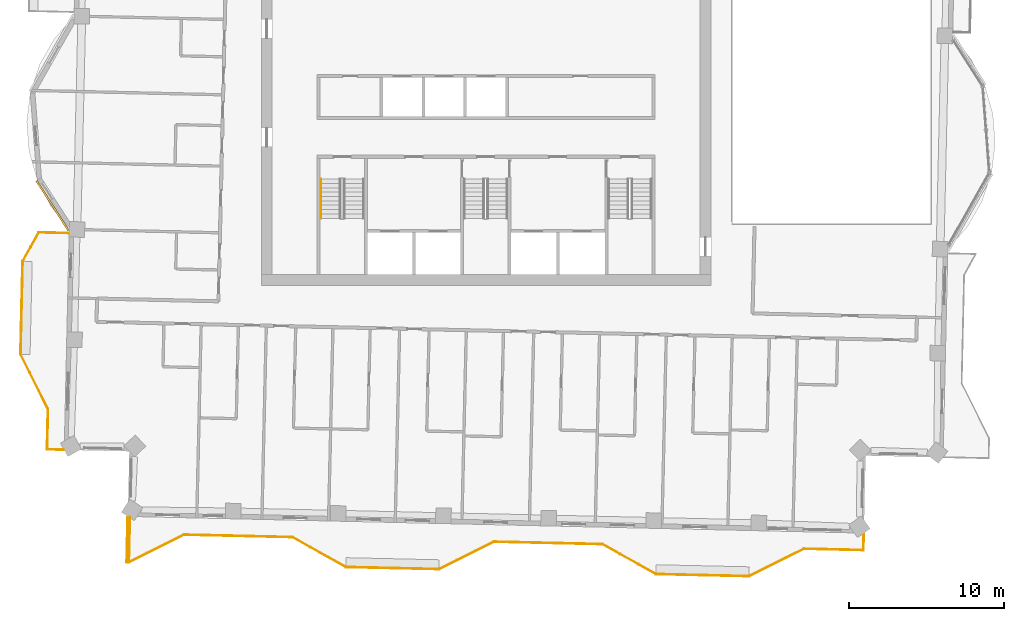
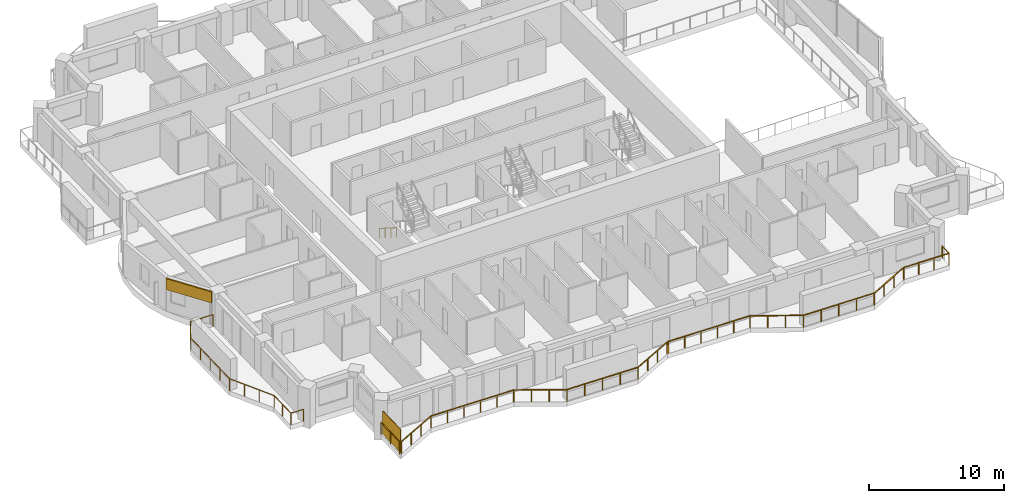
# One storey, part 14 of 17: 3 railings, 1 covering, 1 shading device.
"""IFC4 building model written with IfcOpenShell, lengths in metres."""

from ifc_helpers import new_model, si_unit, direction, frame, frame_2d, origin, origin_2d, place, context, subcontext, project, spatial, rectangle, circle, extrude, material, layer, layer_set, type_object, element, save


model = new_model("IFC4")

# Units and contexts
model_context = context("Model", 3, precision=1e-05, world=origin(), true_north=direction((0.0, 1.0)))
body_context = subcontext(model_context, "Body", "Model", "MODEL_VIEW")
ifc_project = project(units=[si_unit("LENGTHUNIT", "METRE"), si_unit("AREAUNIT", "SQUARE_METRE"), si_unit("VOLUMEUNIT", "CUBIC_METRE"), si_unit("PLANEANGLEUNIT", "RADIAN"), si_unit("MASSUNIT", "GRAM", prefix="KILO")], contexts=[model_context])

# Site, building, storey
site_placement = place(None, origin())
site = spatial("IfcSite", under=ifc_project, at=site_placement, CompositionType="ELEMENT")
building_placement = place(site_placement, origin())
building = spatial("IfcBuilding", under=site, at=building_placement, Name="Mangrove Gate Tower", CompositionType="ELEMENT")
storey_placement = place(building_placement, frame((0.0, 0.0, 264.5)))
storey = spatial("IfcBuildingStorey", under=building, at=storey_placement, Name="L67", CompositionType="ELEMENT", Elevation=264.5)

# Railings
ifc_material_1 = material(Name="Stainless steel grade 316 with laminated glass infill", Category="steel")
railing_type_1 = type_object("IfcRailingType", Name="Balcony guard 1100", PredefinedType="GUARDRAIL", material=ifc_material_1)
railing_1_placement = place(storey_placement, frame((-26.929931640625, -8.1298828125, 0.0)))
element("IfcRailing", 1, at=railing_1_placement, inside=storey, type_object=railing_type_1, Name="GUARD L67 W2", PredefinedType="GUARDRAIL", context=body_context, shape_type="SweptSolid", body=[
    extrude(rectangle(XDim=0.048095703125, YDim=0.048095703125, at=origin_2d()), frame((0.0, 0.0, 1.076171875), z_axis=(-0.999737947273, 0.022891849702, 0.0), x_axis=(-0.022891849702, -0.999737947273, 0.0)), (0.0, 0.0, 1.0), 1.919677734375),
    extrude(rectangle(XDim=0.048095703125, YDim=0.048095703125, at=origin_2d()), frame((-1.919189453125, 0.0439453125, 1.076171875), z_axis=(-0.487098711433, -0.873346921515, 0.0), x_axis=(0.873346921515, -0.487098711433, 0.0)), (0.0, 0.0, 1.0), 2.12060546875),
    extrude(rectangle(XDim=0.048095703125, YDim=0.048095703125, at=origin_2d()), frame((-2.9521484375, -1.80810546875, 1.076171875), z_axis=(-0.022665943652, -0.999743094499, 0.0), x_axis=(0.999743094499, -0.022665943652, 0.0)), (0.0, 0.0, 1.0), 5.99951171875),
    extrude(rectangle(XDim=0.048095703125, YDim=0.048095703125, at=origin_2d()), frame((-3.088134765625, -7.80615234375, 1.076171875), z_axis=(0.447016280881, -0.894525821107, 0.0), x_axis=(0.894525821107, 0.447016280881, 0.0)), (0.0, 0.0, 1.0), 3.959716796875),
    extrude(rectangle(XDim=0.048095703125, YDim=0.048095703125, at=origin_2d()), frame((-1.318115234375, -11.34814453125, 1.076171875), z_axis=(-0.02263393711, -0.999743819631, 0.0), x_axis=(0.999743819631, -0.02263393711, 0.0)), (0.0, 0.0, 1.0), 2.599609375),
    extrude(rectangle(XDim=0.048095703125, YDim=0.048095703125, at=origin_2d()), frame((-1.376953125, -13.947021484375, 1.076171875), z_axis=(0.999740049023, -0.022799876723, 0.0), x_axis=(0.022799876723, 0.999740049023, 0.0)), (0.0, 0.0, 1.0), 1.06005859375),
    extrude(rectangle(XDim=0.0419921875, YDim=0.0419921875, at=origin_2d()), origin(), (0.0, 0.0, 1.0), 1.052001953125),
    extrude(rectangle(XDim=0.0419921875, YDim=0.0419921875, at=origin_2d()), frame((-0.95947265625, 0.02197265625, 0.0)), (0.0, 0.0, 1.0), 1.052001953125),
    extrude(rectangle(XDim=0.0419921875, YDim=0.0419921875, at=origin_2d()), frame((-1.919189453125, 0.0439453125, 0.0)), (0.0, 0.0, 1.0), 1.052001953125),
    extrude(rectangle(XDim=0.0419921875, YDim=0.0419921875, at=origin_2d()), frame((-2.435546875, -0.882080078125, 0.0)), (0.0, 0.0, 1.0), 1.052001953125),
    extrude(rectangle(XDim=0.0419921875, YDim=0.0419921875, at=origin_2d()), frame((-2.9521484375, -1.80810546875, 0.0)), (0.0, 0.0, 1.0), 1.052001953125),
    extrude(rectangle(XDim=0.0419921875, YDim=0.0419921875, at=origin_2d()), frame((-2.986083984375, -3.3076171875, 0.0)), (0.0, 0.0, 1.0), 1.052001953125),
    extrude(rectangle(XDim=0.0419921875, YDim=0.0419921875, at=origin_2d()), frame((-3.02001953125, -4.80712890625, 0.0)), (0.0, 0.0, 1.0), 1.052001953125),
    extrude(rectangle(XDim=0.0419921875, YDim=0.0419921875, at=origin_2d()), frame((-3.05419921875, -6.306640625, 0.0)), (0.0, 0.0, 1.0), 1.052001953125),
    extrude(rectangle(XDim=0.0419921875, YDim=0.0419921875, at=origin_2d()), frame((-3.088134765625, -7.80615234375, 0.0)), (0.0, 0.0, 1.0), 1.052001953125),
    extrude(rectangle(XDim=0.0419921875, YDim=0.0419921875, at=origin_2d()), frame((-2.498046875, -8.98681640625, 0.0)), (0.0, 0.0, 1.0), 1.052001953125),
    extrude(rectangle(XDim=0.0419921875, YDim=0.0419921875, at=origin_2d()), frame((-1.908203125, -10.16748046875, 0.0)), (0.0, 0.0, 1.0), 1.052001953125),
    extrude(rectangle(XDim=0.0419921875, YDim=0.0419921875, at=origin_2d()), frame((-1.318115234375, -11.34814453125, 0.0)), (0.0, 0.0, 1.0), 1.052001953125),
    extrude(rectangle(XDim=0.0419921875, YDim=0.0419921875, at=origin_2d()), frame((-1.34765625, -12.6474609375, 0.0)), (0.0, 0.0, 1.0), 1.052001953125),
    extrude(rectangle(XDim=0.0419921875, YDim=0.0419921875, at=origin_2d()), frame((-1.376953125, -13.947021484375, 0.0)), (0.0, 0.0, 1.0), 1.052001953125),
    extrude(rectangle(XDim=0.0419921875, YDim=0.0419921875, at=origin_2d()), frame((-0.317138671875, -13.97119140625, 0.0)), (0.0, 0.0, 1.0), 1.052001953125),
])
railing_2_placement = place(storey_placement, frame((-23.10498046875, -26.43603515625, 0.0)))
element("IfcRailing", 2, at=railing_2_placement, inside=storey, type_object=railing_type_1, Name="GUARD L67 S1", PredefinedType="GUARDRAIL", context=body_context, shape_type="SweptSolid", body=[
    extrude(rectangle(XDim=0.048095703125, YDim=0.048095703125, at=origin_2d()), frame((0.0, 0.0, 1.076171875), z_axis=(-0.022654696127, -0.999743349437, 0.0), x_axis=(0.999743349437, -0.022654696127, 0.0)), (0.0, 0.0, 1.0), 2.90966796875),
    extrude(rectangle(XDim=0.048095703125, YDim=0.048095703125, at=origin_2d()), frame((-0.06591796875, -2.908935546875, 1.076171875), z_axis=(0.999768009096, -0.021538987629, 0.0), x_axis=(0.021538987629, 0.999768009096, 0.0)), (0.0, 0.0, 1.0), 0.135986328125),
    extrude(rectangle(XDim=0.048095703125, YDim=0.048095703125, at=origin_2d()), frame((0.070068359375, -2.911865234375, 1.076171875), z_axis=(0.894476522376, 0.447114919141, 0.0), x_axis=(-0.447114919141, 0.894476522376, 0.0)), (0.0, 0.0, 1.0), 3.958740234375),
    extrude(rectangle(XDim=0.048095703125, YDim=0.048095703125, at=origin_2d()), frame((3.611083984375, -1.141845703125, 1.076171875), z_axis=(0.999741457317, -0.022738041308, 0.0), x_axis=(0.022738041308, 0.999741457317, 0.0)), (0.0, 0.0, 1.0), 7.00048828125),
    extrude(rectangle(XDim=0.048095703125, YDim=0.048095703125, at=origin_2d()), frame((10.60986328125, -1.301025390625, 1.076171875), z_axis=(0.87325689943, -0.48726008209, 0.0), x_axis=(0.48726008209, 0.87325689943, 0.0)), (0.0, 0.0, 1.0), 3.958740234375),
    extrude(rectangle(XDim=0.048095703125, YDim=0.048095703125, at=origin_2d()), frame((14.06689453125, -3.22998046875, 1.076171875), z_axis=(0.999743094499, -0.022665943652, 0.0), x_axis=(0.022665943652, 0.999743094499, 0.0)), (0.0, 0.0, 1.0), 5.99951171875),
    extrude(rectangle(XDim=0.048095703125, YDim=0.048095703125, at=origin_2d()), frame((20.06494140625, -3.365966796875, 1.076171875), z_axis=(0.894476522376, 0.447114919141, 0.0), x_axis=(-0.447114919141, 0.894476522376, 0.0)), (0.0, 0.0, 1.0), 3.958740234375),
    extrude(rectangle(XDim=0.048095703125, YDim=0.048095703125, at=origin_2d()), frame((23.60595703125, -1.595947265625, 1.076171875), z_axis=(0.999809691461, -0.019508481785, 0.0), x_axis=(0.019508481785, 0.999809691461, 0.0)), (0.0, 0.0, 1.0), 0.10009765625),
    extrude(rectangle(XDim=0.048095703125, YDim=0.048095703125, at=origin_2d()), frame((23.7060546875, -1.597900390625, 1.076171875), z_axis=(0.999741140915, -0.022751948524, 0.0), x_axis=(0.022751948524, 0.999741140915, 0.0)), (0.0, 0.0, 1.0), 6.899658203125),
    extrude(rectangle(XDim=0.048095703125, YDim=0.048095703125, at=origin_2d()), frame((30.60400390625, -1.7548828125, 1.076171875), z_axis=(0.873289216505, -0.487202159618, 0.0), x_axis=(0.487202159618, 0.873289216505, 0.0)), (0.0, 0.0, 1.0), 3.959716796875),
    extrude(rectangle(XDim=0.048095703125, YDim=0.048095703125, at=origin_2d()), frame((34.06201171875, -3.68408203125, 1.076171875), z_axis=(0.999743094499, -0.022665943652, 0.0), x_axis=(0.022665943652, 0.999743094499, 0.0)), (0.0, 0.0, 1.0), 5.99951171875),
    extrude(rectangle(XDim=0.048095703125, YDim=0.048095703125, at=origin_2d()), frame((40.06005859375, -3.820068359375, 1.076171875), z_axis=(0.894476522376, 0.447114919141, 0.0), x_axis=(-0.447114919141, 0.894476522376, 0.0)), (0.0, 0.0, 1.0), 3.958740234375),
    extrude(rectangle(XDim=0.048095703125, YDim=0.048095703125, at=origin_2d()), frame((43.60107421875, -2.050048828125, 1.076171875), z_axis=(0.999743279263, -0.02265779268, 0.0), x_axis=(0.02265779268, 0.999743279263, 0.0)), (0.0, 0.0, 1.0), 3.8359375),
    extrude(rectangle(XDim=0.048095703125, YDim=0.048095703125, at=origin_2d()), frame((47.43603515625, -2.136962890625, 1.076171875), z_axis=(0.022564497502, 0.999745389313, 0.0), x_axis=(-0.999745389313, 0.022564497502, 0.0)), (0.0, 0.0, 1.0), 1.060302734375),
    extrude(rectangle(XDim=0.0419921875, YDim=0.0419921875, at=origin_2d()), origin(), (0.0, 0.0, 1.0), 1.052001953125),
    extrude(rectangle(XDim=0.0419921875, YDim=0.0419921875, at=origin_2d()), frame((-0.032958984375, -1.45458984375, 0.0)), (0.0, 0.0, 1.0), 1.052001953125),
    extrude(rectangle(XDim=0.0419921875, YDim=0.0419921875, at=origin_2d()), frame((-0.06591796875, -2.908935546875, 0.0)), (0.0, 0.0, 1.0), 1.052001953125),
    extrude(rectangle(XDim=0.0419921875, YDim=0.0419921875, at=origin_2d()), frame((0.070068359375, -2.911865234375, 0.0)), (0.0, 0.0, 1.0), 1.052001953125),
    extrude(rectangle(XDim=0.0419921875, YDim=0.0419921875, at=origin_2d()), frame((1.25048828125, -2.32177734375, 0.0)), (0.0, 0.0, 1.0), 1.052001953125),
    extrude(rectangle(XDim=0.0419921875, YDim=0.0419921875, at=origin_2d()), frame((2.4306640625, -1.73193359375, 0.0)), (0.0, 0.0, 1.0), 1.052001953125),
    extrude(rectangle(XDim=0.0419921875, YDim=0.0419921875, at=origin_2d()), frame((3.611083984375, -1.141845703125, 0.0)), (0.0, 0.0, 1.0), 1.052001953125),
    extrude(rectangle(XDim=0.0419921875, YDim=0.0419921875, at=origin_2d()), frame((5.0107421875, -1.173583984375, 0.0)), (0.0, 0.0, 1.0), 1.052001953125),
    extrude(rectangle(XDim=0.0419921875, YDim=0.0419921875, at=origin_2d()), frame((6.41064453125, -1.20556640625, 0.0)), (0.0, 0.0, 1.0), 1.052001953125),
    extrude(rectangle(XDim=0.0419921875, YDim=0.0419921875, at=origin_2d()), frame((7.810302734375, -1.2373046875, 0.0)), (0.0, 0.0, 1.0), 1.052001953125),
    extrude(rectangle(XDim=0.0419921875, YDim=0.0419921875, at=origin_2d()), frame((9.210205078125, -1.269287109375, 0.0)), (0.0, 0.0, 1.0), 1.052001953125),
    extrude(rectangle(XDim=0.0419921875, YDim=0.0419921875, at=origin_2d()), frame((10.60986328125, -1.301025390625, 0.0)), (0.0, 0.0, 1.0), 1.052001953125),
    extrude(rectangle(XDim=0.0419921875, YDim=0.0419921875, at=origin_2d()), frame((11.76220703125, -1.944091796875, 0.0)), (0.0, 0.0, 1.0), 1.052001953125),
    extrude(rectangle(XDim=0.0419921875, YDim=0.0419921875, at=origin_2d()), frame((12.91455078125, -2.5869140625, 0.0)), (0.0, 0.0, 1.0), 1.052001953125),
    extrude(rectangle(XDim=0.0419921875, YDim=0.0419921875, at=origin_2d()), frame((14.06689453125, -3.22998046875, 0.0)), (0.0, 0.0, 1.0), 1.052001953125),
    extrude(rectangle(XDim=0.0419921875, YDim=0.0419921875, at=origin_2d()), frame((15.56640625, -3.263916015625, 0.0)), (0.0, 0.0, 1.0), 1.052001953125),
    extrude(rectangle(XDim=0.0419921875, YDim=0.0419921875, at=origin_2d()), frame((17.06591796875, -3.2978515625, 0.0)), (0.0, 0.0, 1.0), 1.052001953125),
    extrude(rectangle(XDim=0.0419921875, YDim=0.0419921875, at=origin_2d()), frame((18.5654296875, -3.33203125, 0.0)), (0.0, 0.0, 1.0), 1.052001953125),
    extrude(rectangle(XDim=0.0419921875, YDim=0.0419921875, at=origin_2d()), frame((20.06494140625, -3.365966796875, 0.0)), (0.0, 0.0, 1.0), 1.052001953125),
    extrude(rectangle(XDim=0.0419921875, YDim=0.0419921875, at=origin_2d()), frame((21.245361328125, -2.77587890625, 0.0)), (0.0, 0.0, 1.0), 1.052001953125),
    extrude(rectangle(XDim=0.0419921875, YDim=0.0419921875, at=origin_2d()), frame((22.425537109375, -2.18603515625, 0.0)), (0.0, 0.0, 1.0), 1.052001953125),
    extrude(rectangle(XDim=0.0419921875, YDim=0.0419921875, at=origin_2d()), frame((23.60595703125, -1.595947265625, 0.0)), (0.0, 0.0, 1.0), 1.052001953125),
    extrude(rectangle(XDim=0.0419921875, YDim=0.0419921875, at=origin_2d()), frame((23.7060546875, -1.597900390625, 0.0)), (0.0, 0.0, 1.0), 1.052001953125),
    extrude(rectangle(XDim=0.0419921875, YDim=0.0419921875, at=origin_2d()), frame((25.085693359375, -1.62939453125, 0.0)), (0.0, 0.0, 1.0), 1.052001953125),
    extrude(rectangle(XDim=0.0419921875, YDim=0.0419921875, at=origin_2d()), frame((26.46533203125, -1.66064453125, 0.0)), (0.0, 0.0, 1.0), 1.052001953125),
    extrude(rectangle(XDim=0.0419921875, YDim=0.0419921875, at=origin_2d()), frame((27.8447265625, -1.692138671875, 0.0)), (0.0, 0.0, 1.0), 1.052001953125),
    extrude(rectangle(XDim=0.0419921875, YDim=0.0419921875, at=origin_2d()), frame((29.224365234375, -1.723388671875, 0.0)), (0.0, 0.0, 1.0), 1.052001953125),
    extrude(rectangle(XDim=0.0419921875, YDim=0.0419921875, at=origin_2d()), frame((30.60400390625, -1.7548828125, 0.0)), (0.0, 0.0, 1.0), 1.052001953125),
    extrude(rectangle(XDim=0.0419921875, YDim=0.0419921875, at=origin_2d()), frame((31.756591796875, -2.39794921875, 0.0)), (0.0, 0.0, 1.0), 1.052001953125),
    extrude(rectangle(XDim=0.0419921875, YDim=0.0419921875, at=origin_2d()), frame((32.909423828125, -3.041015625, 0.0)), (0.0, 0.0, 1.0), 1.052001953125),
    extrude(rectangle(XDim=0.0419921875, YDim=0.0419921875, at=origin_2d()), frame((34.06201171875, -3.68408203125, 0.0)), (0.0, 0.0, 1.0), 1.052001953125),
    extrude(rectangle(XDim=0.0419921875, YDim=0.0419921875, at=origin_2d()), frame((35.5615234375, -3.718017578125, 0.0)), (0.0, 0.0, 1.0), 1.052001953125),
    extrude(rectangle(XDim=0.0419921875, YDim=0.0419921875, at=origin_2d()), frame((37.06103515625, -3.751953125, 0.0)), (0.0, 0.0, 1.0), 1.052001953125),
    extrude(rectangle(XDim=0.0419921875, YDim=0.0419921875, at=origin_2d()), frame((38.560546875, -3.7861328125, 0.0)), (0.0, 0.0, 1.0), 1.052001953125),
    extrude(rectangle(XDim=0.0419921875, YDim=0.0419921875, at=origin_2d()), frame((40.06005859375, -3.820068359375, 0.0)), (0.0, 0.0, 1.0), 1.052001953125),
    extrude(rectangle(XDim=0.0419921875, YDim=0.0419921875, at=origin_2d()), frame((41.240478515625, -3.22998046875, 0.0)), (0.0, 0.0, 1.0), 1.052001953125),
    extrude(rectangle(XDim=0.0419921875, YDim=0.0419921875, at=origin_2d()), frame((42.420654296875, -2.64013671875, 0.0)), (0.0, 0.0, 1.0), 1.052001953125),
    extrude(rectangle(XDim=0.0419921875, YDim=0.0419921875, at=origin_2d()), frame((43.60107421875, -2.050048828125, 0.0)), (0.0, 0.0, 1.0), 1.052001953125),
    extrude(rectangle(XDim=0.0419921875, YDim=0.0419921875, at=origin_2d()), frame((44.87939453125, -2.0791015625, 0.0)), (0.0, 0.0, 1.0), 1.052001953125),
    extrude(rectangle(XDim=0.0419921875, YDim=0.0419921875, at=origin_2d()), frame((46.15771484375, -2.10791015625, 0.0)), (0.0, 0.0, 1.0), 1.052001953125),
    extrude(rectangle(XDim=0.0419921875, YDim=0.0419921875, at=origin_2d()), frame((47.43603515625, -2.136962890625, 0.0)), (0.0, 0.0, 1.0), 1.052001953125),
    extrude(rectangle(XDim=0.0419921875, YDim=0.0419921875, at=origin_2d()), frame((47.4599609375, -1.076904296875, 0.0)), (0.0, 0.0, 1.0), 1.052001953125),
])

# Shading device
ifc_material_2 = material(Name="Timber slat screen in teak", Category="wood")
shading_device_type = type_object("IfcShadingDeviceType", Name="Balcony screen 2100", PredefinedType="USERDEFINED", material=ifc_material_2)
shading_device_placement = place(storey_placement, frame((-22.99609375, -27.81396484375, 0.0), z_axis=(0.0, 0.0, 1.0), x_axis=(-0.022739679942, -0.999741420046, 0.0)))
element("IfcShadingDevice", 3, at=shading_device_placement, inside=storey, type_object=shading_device_type, Name="SCREEN L67 S0", ObjectType="SCREEN", PredefinedType="USERDEFINED", context=body_context, shape_type="SweptSolid", body=[
    extrude(rectangle(XDim=2.7900390625, YDim=0.050048828125, at=origin_2d()), origin(), (0.0, 0.0, 1.0), 2.10009765625),
])

# Railing
ifc_material_3 = material(Name="Stainless steel 316", Category="steel")
railing_type_2 = type_object("IfcRailingType", Name="Core stair handrail 900", PredefinedType="HANDRAIL", material=ifc_material_3)
railing_3_placement = place(storey_placement, frame((-10.64990234375, -4.64990234375, 0.179931640625)))
element("IfcRailing", 4, at=railing_3_placement, inside=storey, type_object=railing_type_2, Name="L67 ST1 stair handrail 1", PredefinedType="HANDRAIL", context=body_context, shape_type="SweptSolid", body=[
    extrude(circle(Radius=0.02392578125, at=origin_2d()), frame((0.0, 0.0, 0.8759765625), z_axis=(0.0, -0.841162588446, 0.540782303519), x_axis=(1.0, 0.0, 0.0)), (0.0, 0.0, 1.0), 2.995849609375),
    extrude(circle(Radius=0.02099609375, at=origin_2d()), origin(), (0.0, 0.0, 1.0), 0.851806640625),
    extrude(circle(Radius=0.02099609375, at=origin_2d()), frame((0.0, -0.840087890625, 0.5400390625)), (0.0, 0.0, 1.0), 0.851806640625),
    extrude(circle(Radius=0.02099609375, at=origin_2d()), frame((0.0, -1.679931640625, 1.080078125)), (0.0, 0.0, 1.0), 0.851806640625),
    extrude(circle(Radius=0.02099609375, at=origin_2d()), frame((0.0, -2.52001953125, 1.6201171875)), (0.0, 0.0, 1.0), 0.851806640625),
])

# Covering
ifc_material_4 = material(Name="Limestone", Category="masonry")
ifc_layer_1 = layer(ifc_material_4, 0.0400390625, Name="Limestone cladding")
ifc_material_5 = material(Name="Stainless steel anchors and cavity", Category="steel")
ifc_layer_2 = layer(ifc_material_5, 0.080078125, Name="Fixing cavity")
ifc_layer_set = layer_set([ifc_layer_1, ifc_layer_2], Name="Joint fascia cladding 120")
covering_type = type_object("IfcCoveringType", Name="Joint fascia cladding 120", PredefinedType="CLADDING", material=ifc_layer_set)
covering_placement = place(storey_placement, frame((-28.9951171875, -4.7470703125, 2.050048828125), z_axis=(0.0, 0.0, 1.0), x_axis=(0.540647704351, -0.841249106853, 0.0)))
element("IfcCovering", 5, at=covering_placement, inside=storey, type_object=covering_type, Name="STONE FASCIA L67 W9.L2", PredefinedType="CLADDING", context=body_context, shape_type="SweptSolid", body=[
    extrude(rectangle(XDim=3.818115234375, YDim=0.1201171875, at=frame_2d((1.9091796875, 0.0))), origin(), (0.0, 0.0, 1.0), 1.0),
])

save(model, "model.ifc")
